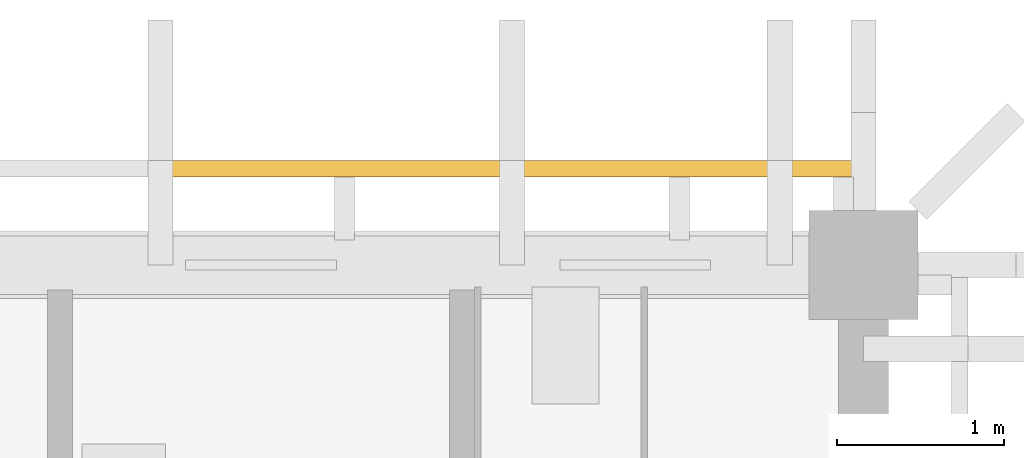
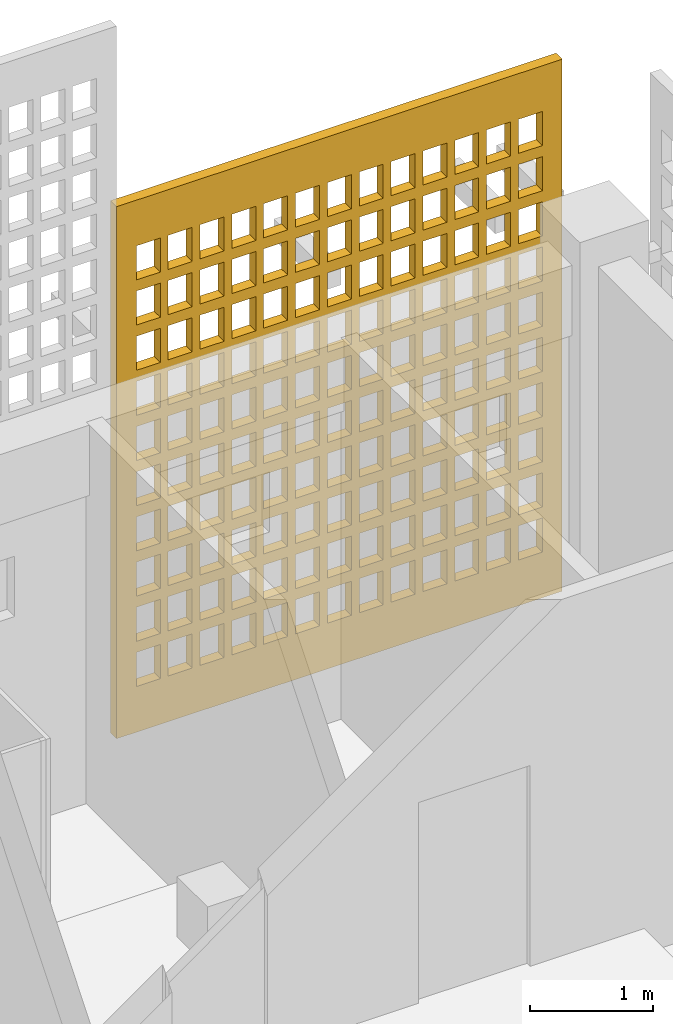
# One storey, part 22 of 23: 1 shading device, 1 opening.
"""IFC4 building model written with IfcOpenShell, lengths in metres."""

from ifc_helpers import new_model, si_unit, direction, frame, origin, origin_2d, place, context, subcontext, project, spatial, rectangle, extrude, material, layer, layer_set, type_object, element, save


model = new_model("IFC4")

# Units and contexts
model_context = context("Model", 3, precision=1e-05, world=origin(), true_north=direction((0.0, 1.0)))
body_context = subcontext(model_context, "Body", "Model", "MODEL_VIEW")
ifc_project = project(units=[si_unit("LENGTHUNIT", "METRE"), si_unit("AREAUNIT", "SQUARE_METRE"), si_unit("VOLUMEUNIT", "CUBIC_METRE"), si_unit("PLANEANGLEUNIT", "RADIAN"), si_unit("MASSUNIT", "GRAM", prefix="KILO")], contexts=[model_context])

# Site, building, storey
site_placement = place(None, origin())
site = spatial("IfcSite", under=ifc_project, at=site_placement, CompositionType="ELEMENT")
building_placement = place(site_placement, origin())
building = spatial("IfcBuilding", under=site, at=building_placement, Name="Rulbaag Community and Learning Centre", CompositionType="ELEMENT")
storey_placement = place(building_placement, frame((0.0, 0.0, 64.800048828125)))
storey = spatial("IfcBuildingStorey", under=building, at=storey_placement, Name="L17", CompositionType="ELEMENT", Elevation=64.800048828125)

# Shading device, opening
ifc_material = material(Name="Concrete M40", Category="concrete")
ifc_layer = layer(ifc_material, 0.10009765625)
ifc_layer_set = layer_set([ifc_layer], Name="JC-4")
shading_device_type = type_object("IfcShadingDeviceType", Name="JC-4", PredefinedType="SHUTTER", material=ifc_layer_set)
shading_device_placement = place(storey_placement, frame((165.89990234375, 118.175048828125, 0.0), z_axis=(0.0, 0.0, 1.0), x_axis=(1.0, 0.0, 0.0)))
shading_device = element("IfcShadingDevice", 1, at=shading_device_placement, inside=storey, type_object=shading_device_type, Name="Jaali lantern screen", PredefinedType="SHUTTER", context=body_context, shape_type="SweptSolid", body=[
    extrude(rectangle(XDim=4.199951171875, YDim=0.10009765625, at=origin_2d()), origin(), (0.0, 0.0, 1.0), 5.300048828125),
])
opening_placement = place(shading_device_placement, origin())
element("IfcOpeningElement", 2, at=opening_placement, cuts=shading_device, Name="Perforation JC4", PredefinedType="OPENING", context=body_context, shape_type="SweptSolid", body=[
    extrude(rectangle(XDim=0.22509765625, YDim=0.340087890625, at=origin_2d()), frame((-1.800048828125, -0.06005859375, 0.625), z_axis=(0.0, 1.0, 0.0), x_axis=(1.0, 0.0, 0.0)), (0.0, 0.0, 1.0), 0.1201171875),
    extrude(rectangle(XDim=0.22509765625, YDim=0.340087890625, at=origin_2d()), frame((-1.5, -0.06005859375, 0.625), z_axis=(0.0, 1.0, 0.0), x_axis=(1.0, 0.0, 0.0)), (0.0, 0.0, 1.0), 0.1201171875),
    extrude(rectangle(XDim=0.22509765625, YDim=0.340087890625, at=origin_2d()), frame((-1.199951171875, -0.06005859375, 0.625), z_axis=(0.0, 1.0, 0.0), x_axis=(1.0, 0.0, 0.0)), (0.0, 0.0, 1.0), 0.1201171875),
    extrude(rectangle(XDim=0.22509765625, YDim=0.340087890625, at=origin_2d()), frame((-0.89990234375, -0.06005859375, 0.625), z_axis=(0.0, 1.0, 0.0), x_axis=(1.0, 0.0, 0.0)), (0.0, 0.0, 1.0), 0.1201171875),
    extrude(rectangle(XDim=0.22509765625, YDim=0.340087890625, at=origin_2d()), frame((-0.60009765625, -0.06005859375, 0.625), z_axis=(0.0, 1.0, 0.0), x_axis=(1.0, 0.0, 0.0)), (0.0, 0.0, 1.0), 0.1201171875),
    extrude(rectangle(XDim=0.22509765625, YDim=0.340087890625, at=origin_2d()), frame((-0.300048828125, -0.06005859375, 0.625), z_axis=(0.0, 1.0, 0.0), x_axis=(1.0, 0.0, 0.0)), (0.0, 0.0, 1.0), 0.1201171875),
    extrude(rectangle(XDim=0.22509765625, YDim=0.340087890625, at=origin_2d()), frame((0.0, -0.06005859375, 0.625), z_axis=(0.0, 1.0, 0.0), x_axis=(1.0, 0.0, 0.0)), (0.0, 0.0, 1.0), 0.1201171875),
    extrude(rectangle(XDim=0.22509765625, YDim=0.340087890625, at=origin_2d()), frame((0.300048828125, -0.06005859375, 0.625), z_axis=(0.0, 1.0, 0.0), x_axis=(1.0, 0.0, 0.0)), (0.0, 0.0, 1.0), 0.1201171875),
    extrude(rectangle(XDim=0.22509765625, YDim=0.340087890625, at=origin_2d()), frame((0.60009765625, -0.06005859375, 0.625), z_axis=(0.0, 1.0, 0.0), x_axis=(1.0, 0.0, 0.0)), (0.0, 0.0, 1.0), 0.1201171875),
    extrude(rectangle(XDim=0.22509765625, YDim=0.340087890625, at=origin_2d()), frame((0.89990234375, -0.06005859375, 0.625), z_axis=(0.0, 1.0, 0.0), x_axis=(1.0, 0.0, 0.0)), (0.0, 0.0, 1.0), 0.1201171875),
    extrude(rectangle(XDim=0.22509765625, YDim=0.340087890625, at=origin_2d()), frame((1.199951171875, -0.06005859375, 0.625), z_axis=(0.0, 1.0, 0.0), x_axis=(1.0, 0.0, 0.0)), (0.0, 0.0, 1.0), 0.1201171875),
    extrude(rectangle(XDim=0.22509765625, YDim=0.340087890625, at=origin_2d()), frame((1.5, -0.06005859375, 0.625), z_axis=(0.0, 1.0, 0.0), x_axis=(1.0, 0.0, 0.0)), (0.0, 0.0, 1.0), 0.1201171875),
    extrude(rectangle(XDim=0.22509765625, YDim=0.340087890625, at=origin_2d()), frame((1.800048828125, -0.06005859375, 0.625), z_axis=(0.0, 1.0, 0.0), x_axis=(1.0, 0.0, 0.0)), (0.0, 0.0, 1.0), 0.1201171875),
    extrude(rectangle(XDim=0.22509765625, YDim=0.340087890625, at=origin_2d()), frame((-1.800048828125, -0.06005859375, 1.074951171875), z_axis=(0.0, 1.0, 0.0), x_axis=(1.0, 0.0, 0.0)), (0.0, 0.0, 1.0), 0.1201171875),
    extrude(rectangle(XDim=0.22509765625, YDim=0.340087890625, at=origin_2d()), frame((-1.5, -0.06005859375, 1.074951171875), z_axis=(0.0, 1.0, 0.0), x_axis=(1.0, 0.0, 0.0)), (0.0, 0.0, 1.0), 0.1201171875),
    extrude(rectangle(XDim=0.22509765625, YDim=0.340087890625, at=origin_2d()), frame((-1.199951171875, -0.06005859375, 1.074951171875), z_axis=(0.0, 1.0, 0.0), x_axis=(1.0, 0.0, 0.0)), (0.0, 0.0, 1.0), 0.1201171875),
    extrude(rectangle(XDim=0.22509765625, YDim=0.340087890625, at=origin_2d()), frame((-0.89990234375, -0.06005859375, 1.074951171875), z_axis=(0.0, 1.0, 0.0), x_axis=(1.0, 0.0, 0.0)), (0.0, 0.0, 1.0), 0.1201171875),
    extrude(rectangle(XDim=0.22509765625, YDim=0.340087890625, at=origin_2d()), frame((-0.60009765625, -0.06005859375, 1.074951171875), z_axis=(0.0, 1.0, 0.0), x_axis=(1.0, 0.0, 0.0)), (0.0, 0.0, 1.0), 0.1201171875),
    extrude(rectangle(XDim=0.22509765625, YDim=0.340087890625, at=origin_2d()), frame((-0.300048828125, -0.06005859375, 1.074951171875), z_axis=(0.0, 1.0, 0.0), x_axis=(1.0, 0.0, 0.0)), (0.0, 0.0, 1.0), 0.1201171875),
    extrude(rectangle(XDim=0.22509765625, YDim=0.340087890625, at=origin_2d()), frame((0.0, -0.06005859375, 1.074951171875), z_axis=(0.0, 1.0, 0.0), x_axis=(1.0, 0.0, 0.0)), (0.0, 0.0, 1.0), 0.1201171875),
    extrude(rectangle(XDim=0.22509765625, YDim=0.340087890625, at=origin_2d()), frame((0.300048828125, -0.06005859375, 1.074951171875), z_axis=(0.0, 1.0, 0.0), x_axis=(1.0, 0.0, 0.0)), (0.0, 0.0, 1.0), 0.1201171875),
    extrude(rectangle(XDim=0.22509765625, YDim=0.340087890625, at=origin_2d()), frame((0.60009765625, -0.06005859375, 1.074951171875), z_axis=(0.0, 1.0, 0.0), x_axis=(1.0, 0.0, 0.0)), (0.0, 0.0, 1.0), 0.1201171875),
    extrude(rectangle(XDim=0.22509765625, YDim=0.340087890625, at=origin_2d()), frame((0.89990234375, -0.06005859375, 1.074951171875), z_axis=(0.0, 1.0, 0.0), x_axis=(1.0, 0.0, 0.0)), (0.0, 0.0, 1.0), 0.1201171875),
    extrude(rectangle(XDim=0.22509765625, YDim=0.340087890625, at=origin_2d()), frame((1.199951171875, -0.06005859375, 1.074951171875), z_axis=(0.0, 1.0, 0.0), x_axis=(1.0, 0.0, 0.0)), (0.0, 0.0, 1.0), 0.1201171875),
    extrude(rectangle(XDim=0.22509765625, YDim=0.340087890625, at=origin_2d()), frame((1.5, -0.06005859375, 1.074951171875), z_axis=(0.0, 1.0, 0.0), x_axis=(1.0, 0.0, 0.0)), (0.0, 0.0, 1.0), 0.1201171875),
    extrude(rectangle(XDim=0.22509765625, YDim=0.340087890625, at=origin_2d()), frame((1.800048828125, -0.06005859375, 1.074951171875), z_axis=(0.0, 1.0, 0.0), x_axis=(1.0, 0.0, 0.0)), (0.0, 0.0, 1.0), 0.1201171875),
    extrude(rectangle(XDim=0.22509765625, YDim=0.340087890625, at=origin_2d()), frame((-1.800048828125, -0.06005859375, 1.52490234375), z_axis=(0.0, 1.0, 0.0), x_axis=(1.0, 0.0, 0.0)), (0.0, 0.0, 1.0), 0.1201171875),
    extrude(rectangle(XDim=0.22509765625, YDim=0.340087890625, at=origin_2d()), frame((-1.5, -0.06005859375, 1.52490234375), z_axis=(0.0, 1.0, 0.0), x_axis=(1.0, 0.0, 0.0)), (0.0, 0.0, 1.0), 0.1201171875),
    extrude(rectangle(XDim=0.22509765625, YDim=0.340087890625, at=origin_2d()), frame((-1.199951171875, -0.06005859375, 1.52490234375), z_axis=(0.0, 1.0, 0.0), x_axis=(1.0, 0.0, 0.0)), (0.0, 0.0, 1.0), 0.1201171875),
    extrude(rectangle(XDim=0.22509765625, YDim=0.340087890625, at=origin_2d()), frame((-0.89990234375, -0.06005859375, 1.52490234375), z_axis=(0.0, 1.0, 0.0), x_axis=(1.0, 0.0, 0.0)), (0.0, 0.0, 1.0), 0.1201171875),
    extrude(rectangle(XDim=0.22509765625, YDim=0.340087890625, at=origin_2d()), frame((-0.60009765625, -0.06005859375, 1.52490234375), z_axis=(0.0, 1.0, 0.0), x_axis=(1.0, 0.0, 0.0)), (0.0, 0.0, 1.0), 0.1201171875),
    extrude(rectangle(XDim=0.22509765625, YDim=0.340087890625, at=origin_2d()), frame((-0.300048828125, -0.06005859375, 1.52490234375), z_axis=(0.0, 1.0, 0.0), x_axis=(1.0, 0.0, 0.0)), (0.0, 0.0, 1.0), 0.1201171875),
    extrude(rectangle(XDim=0.22509765625, YDim=0.340087890625, at=origin_2d()), frame((0.0, -0.06005859375, 1.52490234375), z_axis=(0.0, 1.0, 0.0), x_axis=(1.0, 0.0, 0.0)), (0.0, 0.0, 1.0), 0.1201171875),
    extrude(rectangle(XDim=0.22509765625, YDim=0.340087890625, at=origin_2d()), frame((0.300048828125, -0.06005859375, 1.52490234375), z_axis=(0.0, 1.0, 0.0), x_axis=(1.0, 0.0, 0.0)), (0.0, 0.0, 1.0), 0.1201171875),
    extrude(rectangle(XDim=0.22509765625, YDim=0.340087890625, at=origin_2d()), frame((0.60009765625, -0.06005859375, 1.52490234375), z_axis=(0.0, 1.0, 0.0), x_axis=(1.0, 0.0, 0.0)), (0.0, 0.0, 1.0), 0.1201171875),
    extrude(rectangle(XDim=0.22509765625, YDim=0.340087890625, at=origin_2d()), frame((0.89990234375, -0.06005859375, 1.52490234375), z_axis=(0.0, 1.0, 0.0), x_axis=(1.0, 0.0, 0.0)), (0.0, 0.0, 1.0), 0.1201171875),
    extrude(rectangle(XDim=0.22509765625, YDim=0.340087890625, at=origin_2d()), frame((1.199951171875, -0.06005859375, 1.52490234375), z_axis=(0.0, 1.0, 0.0), x_axis=(1.0, 0.0, 0.0)), (0.0, 0.0, 1.0), 0.1201171875),
    extrude(rectangle(XDim=0.22509765625, YDim=0.340087890625, at=origin_2d()), frame((1.5, -0.06005859375, 1.52490234375), z_axis=(0.0, 1.0, 0.0), x_axis=(1.0, 0.0, 0.0)), (0.0, 0.0, 1.0), 0.1201171875),
    extrude(rectangle(XDim=0.22509765625, YDim=0.340087890625, at=origin_2d()), frame((1.800048828125, -0.06005859375, 1.52490234375), z_axis=(0.0, 1.0, 0.0), x_axis=(1.0, 0.0, 0.0)), (0.0, 0.0, 1.0), 0.1201171875),
    extrude(rectangle(XDim=0.22509765625, YDim=0.340087890625, at=origin_2d()), frame((-1.800048828125, -0.06005859375, 1.97509765625), z_axis=(0.0, 1.0, 0.0), x_axis=(1.0, 0.0, 0.0)), (0.0, 0.0, 1.0), 0.1201171875),
    extrude(rectangle(XDim=0.22509765625, YDim=0.340087890625, at=origin_2d()), frame((-1.5, -0.06005859375, 1.97509765625), z_axis=(0.0, 1.0, 0.0), x_axis=(1.0, 0.0, 0.0)), (0.0, 0.0, 1.0), 0.1201171875),
    extrude(rectangle(XDim=0.22509765625, YDim=0.340087890625, at=origin_2d()), frame((-1.199951171875, -0.06005859375, 1.97509765625), z_axis=(0.0, 1.0, 0.0), x_axis=(1.0, 0.0, 0.0)), (0.0, 0.0, 1.0), 0.1201171875),
    extrude(rectangle(XDim=0.22509765625, YDim=0.340087890625, at=origin_2d()), frame((-0.89990234375, -0.06005859375, 1.97509765625), z_axis=(0.0, 1.0, 0.0), x_axis=(1.0, 0.0, 0.0)), (0.0, 0.0, 1.0), 0.1201171875),
    extrude(rectangle(XDim=0.22509765625, YDim=0.340087890625, at=origin_2d()), frame((-0.60009765625, -0.06005859375, 1.97509765625), z_axis=(0.0, 1.0, 0.0), x_axis=(1.0, 0.0, 0.0)), (0.0, 0.0, 1.0), 0.1201171875),
    extrude(rectangle(XDim=0.22509765625, YDim=0.340087890625, at=origin_2d()), frame((-0.300048828125, -0.06005859375, 1.97509765625), z_axis=(0.0, 1.0, 0.0), x_axis=(1.0, 0.0, 0.0)), (0.0, 0.0, 1.0), 0.1201171875),
    extrude(rectangle(XDim=0.22509765625, YDim=0.340087890625, at=origin_2d()), frame((0.0, -0.06005859375, 1.97509765625), z_axis=(0.0, 1.0, 0.0), x_axis=(1.0, 0.0, 0.0)), (0.0, 0.0, 1.0), 0.1201171875),
    extrude(rectangle(XDim=0.22509765625, YDim=0.340087890625, at=origin_2d()), frame((0.300048828125, -0.06005859375, 1.97509765625), z_axis=(0.0, 1.0, 0.0), x_axis=(1.0, 0.0, 0.0)), (0.0, 0.0, 1.0), 0.1201171875),
    extrude(rectangle(XDim=0.22509765625, YDim=0.340087890625, at=origin_2d()), frame((0.60009765625, -0.06005859375, 1.97509765625), z_axis=(0.0, 1.0, 0.0), x_axis=(1.0, 0.0, 0.0)), (0.0, 0.0, 1.0), 0.1201171875),
    extrude(rectangle(XDim=0.22509765625, YDim=0.340087890625, at=origin_2d()), frame((0.89990234375, -0.06005859375, 1.97509765625), z_axis=(0.0, 1.0, 0.0), x_axis=(1.0, 0.0, 0.0)), (0.0, 0.0, 1.0), 0.1201171875),
    extrude(rectangle(XDim=0.22509765625, YDim=0.340087890625, at=origin_2d()), frame((1.199951171875, -0.06005859375, 1.97509765625), z_axis=(0.0, 1.0, 0.0), x_axis=(1.0, 0.0, 0.0)), (0.0, 0.0, 1.0), 0.1201171875),
    extrude(rectangle(XDim=0.22509765625, YDim=0.340087890625, at=origin_2d()), frame((1.5, -0.06005859375, 1.97509765625), z_axis=(0.0, 1.0, 0.0), x_axis=(1.0, 0.0, 0.0)), (0.0, 0.0, 1.0), 0.1201171875),
    extrude(rectangle(XDim=0.22509765625, YDim=0.340087890625, at=origin_2d()), frame((1.800048828125, -0.06005859375, 1.97509765625), z_axis=(0.0, 1.0, 0.0), x_axis=(1.0, 0.0, 0.0)), (0.0, 0.0, 1.0), 0.1201171875),
    extrude(rectangle(XDim=0.22509765625, YDim=0.340087890625, at=origin_2d()), frame((-1.800048828125, -0.06005859375, 2.425048828125), z_axis=(0.0, 1.0, 0.0), x_axis=(1.0, 0.0, 0.0)), (0.0, 0.0, 1.0), 0.1201171875),
    extrude(rectangle(XDim=0.22509765625, YDim=0.340087890625, at=origin_2d()), frame((-1.5, -0.06005859375, 2.425048828125), z_axis=(0.0, 1.0, 0.0), x_axis=(1.0, 0.0, 0.0)), (0.0, 0.0, 1.0), 0.1201171875),
    extrude(rectangle(XDim=0.22509765625, YDim=0.340087890625, at=origin_2d()), frame((-1.199951171875, -0.06005859375, 2.425048828125), z_axis=(0.0, 1.0, 0.0), x_axis=(1.0, 0.0, 0.0)), (0.0, 0.0, 1.0), 0.1201171875),
    extrude(rectangle(XDim=0.22509765625, YDim=0.340087890625, at=origin_2d()), frame((-0.89990234375, -0.06005859375, 2.425048828125), z_axis=(0.0, 1.0, 0.0), x_axis=(1.0, 0.0, 0.0)), (0.0, 0.0, 1.0), 0.1201171875),
    extrude(rectangle(XDim=0.22509765625, YDim=0.340087890625, at=origin_2d()), frame((-0.60009765625, -0.06005859375, 2.425048828125), z_axis=(0.0, 1.0, 0.0), x_axis=(1.0, 0.0, 0.0)), (0.0, 0.0, 1.0), 0.1201171875),
    extrude(rectangle(XDim=0.22509765625, YDim=0.340087890625, at=origin_2d()), frame((-0.300048828125, -0.06005859375, 2.425048828125), z_axis=(0.0, 1.0, 0.0), x_axis=(1.0, 0.0, 0.0)), (0.0, 0.0, 1.0), 0.1201171875),
    extrude(rectangle(XDim=0.22509765625, YDim=0.340087890625, at=origin_2d()), frame((0.0, -0.06005859375, 2.425048828125), z_axis=(0.0, 1.0, 0.0), x_axis=(1.0, 0.0, 0.0)), (0.0, 0.0, 1.0), 0.1201171875),
    extrude(rectangle(XDim=0.22509765625, YDim=0.340087890625, at=origin_2d()), frame((0.300048828125, -0.06005859375, 2.425048828125), z_axis=(0.0, 1.0, 0.0), x_axis=(1.0, 0.0, 0.0)), (0.0, 0.0, 1.0), 0.1201171875),
    extrude(rectangle(XDim=0.22509765625, YDim=0.340087890625, at=origin_2d()), frame((0.60009765625, -0.06005859375, 2.425048828125), z_axis=(0.0, 1.0, 0.0), x_axis=(1.0, 0.0, 0.0)), (0.0, 0.0, 1.0), 0.1201171875),
    extrude(rectangle(XDim=0.22509765625, YDim=0.340087890625, at=origin_2d()), frame((0.89990234375, -0.06005859375, 2.425048828125), z_axis=(0.0, 1.0, 0.0), x_axis=(1.0, 0.0, 0.0)), (0.0, 0.0, 1.0), 0.1201171875),
    extrude(rectangle(XDim=0.22509765625, YDim=0.340087890625, at=origin_2d()), frame((1.199951171875, -0.06005859375, 2.425048828125), z_axis=(0.0, 1.0, 0.0), x_axis=(1.0, 0.0, 0.0)), (0.0, 0.0, 1.0), 0.1201171875),
    extrude(rectangle(XDim=0.22509765625, YDim=0.340087890625, at=origin_2d()), frame((1.5, -0.06005859375, 2.425048828125), z_axis=(0.0, 1.0, 0.0), x_axis=(1.0, 0.0, 0.0)), (0.0, 0.0, 1.0), 0.1201171875),
    extrude(rectangle(XDim=0.22509765625, YDim=0.340087890625, at=origin_2d()), frame((1.800048828125, -0.06005859375, 2.425048828125), z_axis=(0.0, 1.0, 0.0), x_axis=(1.0, 0.0, 0.0)), (0.0, 0.0, 1.0), 0.1201171875),
    extrude(rectangle(XDim=0.22509765625, YDim=0.340087890625, at=origin_2d()), frame((-1.800048828125, -0.06005859375, 2.875), z_axis=(0.0, 1.0, 0.0), x_axis=(1.0, 0.0, 0.0)), (0.0, 0.0, 1.0), 0.1201171875),
    extrude(rectangle(XDim=0.22509765625, YDim=0.340087890625, at=origin_2d()), frame((-1.5, -0.06005859375, 2.875), z_axis=(0.0, 1.0, 0.0), x_axis=(1.0, 0.0, 0.0)), (0.0, 0.0, 1.0), 0.1201171875),
    extrude(rectangle(XDim=0.22509765625, YDim=0.340087890625, at=origin_2d()), frame((-1.199951171875, -0.06005859375, 2.875), z_axis=(0.0, 1.0, 0.0), x_axis=(1.0, 0.0, 0.0)), (0.0, 0.0, 1.0), 0.1201171875),
    extrude(rectangle(XDim=0.22509765625, YDim=0.340087890625, at=origin_2d()), frame((-0.89990234375, -0.06005859375, 2.875), z_axis=(0.0, 1.0, 0.0), x_axis=(1.0, 0.0, 0.0)), (0.0, 0.0, 1.0), 0.1201171875),
    extrude(rectangle(XDim=0.22509765625, YDim=0.340087890625, at=origin_2d()), frame((-0.60009765625, -0.06005859375, 2.875), z_axis=(0.0, 1.0, 0.0), x_axis=(1.0, 0.0, 0.0)), (0.0, 0.0, 1.0), 0.1201171875),
    extrude(rectangle(XDim=0.22509765625, YDim=0.340087890625, at=origin_2d()), frame((-0.300048828125, -0.06005859375, 2.875), z_axis=(0.0, 1.0, 0.0), x_axis=(1.0, 0.0, 0.0)), (0.0, 0.0, 1.0), 0.1201171875),
    extrude(rectangle(XDim=0.22509765625, YDim=0.340087890625, at=origin_2d()), frame((0.0, -0.06005859375, 2.875), z_axis=(0.0, 1.0, 0.0), x_axis=(1.0, 0.0, 0.0)), (0.0, 0.0, 1.0), 0.1201171875),
    extrude(rectangle(XDim=0.22509765625, YDim=0.340087890625, at=origin_2d()), frame((0.300048828125, -0.06005859375, 2.875), z_axis=(0.0, 1.0, 0.0), x_axis=(1.0, 0.0, 0.0)), (0.0, 0.0, 1.0), 0.1201171875),
    extrude(rectangle(XDim=0.22509765625, YDim=0.340087890625, at=origin_2d()), frame((0.60009765625, -0.06005859375, 2.875), z_axis=(0.0, 1.0, 0.0), x_axis=(1.0, 0.0, 0.0)), (0.0, 0.0, 1.0), 0.1201171875),
    extrude(rectangle(XDim=0.22509765625, YDim=0.340087890625, at=origin_2d()), frame((0.89990234375, -0.06005859375, 2.875), z_axis=(0.0, 1.0, 0.0), x_axis=(1.0, 0.0, 0.0)), (0.0, 0.0, 1.0), 0.1201171875),
    extrude(rectangle(XDim=0.22509765625, YDim=0.340087890625, at=origin_2d()), frame((1.199951171875, -0.06005859375, 2.875), z_axis=(0.0, 1.0, 0.0), x_axis=(1.0, 0.0, 0.0)), (0.0, 0.0, 1.0), 0.1201171875),
    extrude(rectangle(XDim=0.22509765625, YDim=0.340087890625, at=origin_2d()), frame((1.5, -0.06005859375, 2.875), z_axis=(0.0, 1.0, 0.0), x_axis=(1.0, 0.0, 0.0)), (0.0, 0.0, 1.0), 0.1201171875),
    extrude(rectangle(XDim=0.22509765625, YDim=0.340087890625, at=origin_2d()), frame((1.800048828125, -0.06005859375, 2.875), z_axis=(0.0, 1.0, 0.0), x_axis=(1.0, 0.0, 0.0)), (0.0, 0.0, 1.0), 0.1201171875),
    extrude(rectangle(XDim=0.22509765625, YDim=0.340087890625, at=origin_2d()), frame((-1.800048828125, -0.06005859375, 3.324951171875), z_axis=(0.0, 1.0, 0.0), x_axis=(1.0, 0.0, 0.0)), (0.0, 0.0, 1.0), 0.1201171875),
    extrude(rectangle(XDim=0.22509765625, YDim=0.340087890625, at=origin_2d()), frame((-1.5, -0.06005859375, 3.324951171875), z_axis=(0.0, 1.0, 0.0), x_axis=(1.0, 0.0, 0.0)), (0.0, 0.0, 1.0), 0.1201171875),
    extrude(rectangle(XDim=0.22509765625, YDim=0.340087890625, at=origin_2d()), frame((-1.199951171875, -0.06005859375, 3.324951171875), z_axis=(0.0, 1.0, 0.0), x_axis=(1.0, 0.0, 0.0)), (0.0, 0.0, 1.0), 0.1201171875),
    extrude(rectangle(XDim=0.22509765625, YDim=0.340087890625, at=origin_2d()), frame((-0.89990234375, -0.06005859375, 3.324951171875), z_axis=(0.0, 1.0, 0.0), x_axis=(1.0, 0.0, 0.0)), (0.0, 0.0, 1.0), 0.1201171875),
    extrude(rectangle(XDim=0.22509765625, YDim=0.340087890625, at=origin_2d()), frame((-0.60009765625, -0.06005859375, 3.324951171875), z_axis=(0.0, 1.0, 0.0), x_axis=(1.0, 0.0, 0.0)), (0.0, 0.0, 1.0), 0.1201171875),
    extrude(rectangle(XDim=0.22509765625, YDim=0.340087890625, at=origin_2d()), frame((-0.300048828125, -0.06005859375, 3.324951171875), z_axis=(0.0, 1.0, 0.0), x_axis=(1.0, 0.0, 0.0)), (0.0, 0.0, 1.0), 0.1201171875),
    extrude(rectangle(XDim=0.22509765625, YDim=0.340087890625, at=origin_2d()), frame((0.0, -0.06005859375, 3.324951171875), z_axis=(0.0, 1.0, 0.0), x_axis=(1.0, 0.0, 0.0)), (0.0, 0.0, 1.0), 0.1201171875),
    extrude(rectangle(XDim=0.22509765625, YDim=0.340087890625, at=origin_2d()), frame((0.300048828125, -0.06005859375, 3.324951171875), z_axis=(0.0, 1.0, 0.0), x_axis=(1.0, 0.0, 0.0)), (0.0, 0.0, 1.0), 0.1201171875),
    extrude(rectangle(XDim=0.22509765625, YDim=0.340087890625, at=origin_2d()), frame((0.60009765625, -0.06005859375, 3.324951171875), z_axis=(0.0, 1.0, 0.0), x_axis=(1.0, 0.0, 0.0)), (0.0, 0.0, 1.0), 0.1201171875),
    extrude(rectangle(XDim=0.22509765625, YDim=0.340087890625, at=origin_2d()), frame((0.89990234375, -0.06005859375, 3.324951171875), z_axis=(0.0, 1.0, 0.0), x_axis=(1.0, 0.0, 0.0)), (0.0, 0.0, 1.0), 0.1201171875),
    extrude(rectangle(XDim=0.22509765625, YDim=0.340087890625, at=origin_2d()), frame((1.199951171875, -0.06005859375, 3.324951171875), z_axis=(0.0, 1.0, 0.0), x_axis=(1.0, 0.0, 0.0)), (0.0, 0.0, 1.0), 0.1201171875),
    extrude(rectangle(XDim=0.22509765625, YDim=0.340087890625, at=origin_2d()), frame((1.5, -0.06005859375, 3.324951171875), z_axis=(0.0, 1.0, 0.0), x_axis=(1.0, 0.0, 0.0)), (0.0, 0.0, 1.0), 0.1201171875),
    extrude(rectangle(XDim=0.22509765625, YDim=0.340087890625, at=origin_2d()), frame((1.800048828125, -0.06005859375, 3.324951171875), z_axis=(0.0, 1.0, 0.0), x_axis=(1.0, 0.0, 0.0)), (0.0, 0.0, 1.0), 0.1201171875),
    extrude(rectangle(XDim=0.22509765625, YDim=0.340087890625, at=origin_2d()), frame((-1.800048828125, -0.06005859375, 3.77490234375), z_axis=(0.0, 1.0, 0.0), x_axis=(1.0, 0.0, 0.0)), (0.0, 0.0, 1.0), 0.1201171875),
    extrude(rectangle(XDim=0.22509765625, YDim=0.340087890625, at=origin_2d()), frame((-1.5, -0.06005859375, 3.77490234375), z_axis=(0.0, 1.0, 0.0), x_axis=(1.0, 0.0, 0.0)), (0.0, 0.0, 1.0), 0.1201171875),
    extrude(rectangle(XDim=0.22509765625, YDim=0.340087890625, at=origin_2d()), frame((-1.199951171875, -0.06005859375, 3.77490234375), z_axis=(0.0, 1.0, 0.0), x_axis=(1.0, 0.0, 0.0)), (0.0, 0.0, 1.0), 0.1201171875),
    extrude(rectangle(XDim=0.22509765625, YDim=0.340087890625, at=origin_2d()), frame((-0.89990234375, -0.06005859375, 3.77490234375), z_axis=(0.0, 1.0, 0.0), x_axis=(1.0, 0.0, 0.0)), (0.0, 0.0, 1.0), 0.1201171875),
    extrude(rectangle(XDim=0.22509765625, YDim=0.340087890625, at=origin_2d()), frame((-0.60009765625, -0.06005859375, 3.77490234375), z_axis=(0.0, 1.0, 0.0), x_axis=(1.0, 0.0, 0.0)), (0.0, 0.0, 1.0), 0.1201171875),
    extrude(rectangle(XDim=0.22509765625, YDim=0.340087890625, at=origin_2d()), frame((-0.300048828125, -0.06005859375, 3.77490234375), z_axis=(0.0, 1.0, 0.0), x_axis=(1.0, 0.0, 0.0)), (0.0, 0.0, 1.0), 0.1201171875),
    extrude(rectangle(XDim=0.22509765625, YDim=0.340087890625, at=origin_2d()), frame((0.0, -0.06005859375, 3.77490234375), z_axis=(0.0, 1.0, 0.0), x_axis=(1.0, 0.0, 0.0)), (0.0, 0.0, 1.0), 0.1201171875),
    extrude(rectangle(XDim=0.22509765625, YDim=0.340087890625, at=origin_2d()), frame((0.300048828125, -0.06005859375, 3.77490234375), z_axis=(0.0, 1.0, 0.0), x_axis=(1.0, 0.0, 0.0)), (0.0, 0.0, 1.0), 0.1201171875),
    extrude(rectangle(XDim=0.22509765625, YDim=0.340087890625, at=origin_2d()), frame((0.60009765625, -0.06005859375, 3.77490234375), z_axis=(0.0, 1.0, 0.0), x_axis=(1.0, 0.0, 0.0)), (0.0, 0.0, 1.0), 0.1201171875),
    extrude(rectangle(XDim=0.22509765625, YDim=0.340087890625, at=origin_2d()), frame((0.89990234375, -0.06005859375, 3.77490234375), z_axis=(0.0, 1.0, 0.0), x_axis=(1.0, 0.0, 0.0)), (0.0, 0.0, 1.0), 0.1201171875),
    extrude(rectangle(XDim=0.22509765625, YDim=0.340087890625, at=origin_2d()), frame((1.199951171875, -0.06005859375, 3.77490234375), z_axis=(0.0, 1.0, 0.0), x_axis=(1.0, 0.0, 0.0)), (0.0, 0.0, 1.0), 0.1201171875),
    extrude(rectangle(XDim=0.22509765625, YDim=0.340087890625, at=origin_2d()), frame((1.5, -0.06005859375, 3.77490234375), z_axis=(0.0, 1.0, 0.0), x_axis=(1.0, 0.0, 0.0)), (0.0, 0.0, 1.0), 0.1201171875),
    extrude(rectangle(XDim=0.22509765625, YDim=0.340087890625, at=origin_2d()), frame((1.800048828125, -0.06005859375, 3.77490234375), z_axis=(0.0, 1.0, 0.0), x_axis=(1.0, 0.0, 0.0)), (0.0, 0.0, 1.0), 0.1201171875),
    extrude(rectangle(XDim=0.22509765625, YDim=0.340087890625, at=origin_2d()), frame((-1.800048828125, -0.06005859375, 4.22509765625), z_axis=(0.0, 1.0, 0.0), x_axis=(1.0, 0.0, 0.0)), (0.0, 0.0, 1.0), 0.1201171875),
    extrude(rectangle(XDim=0.22509765625, YDim=0.340087890625, at=origin_2d()), frame((-1.5, -0.06005859375, 4.22509765625), z_axis=(0.0, 1.0, 0.0), x_axis=(1.0, 0.0, 0.0)), (0.0, 0.0, 1.0), 0.1201171875),
    extrude(rectangle(XDim=0.22509765625, YDim=0.340087890625, at=origin_2d()), frame((-1.199951171875, -0.06005859375, 4.22509765625), z_axis=(0.0, 1.0, 0.0), x_axis=(1.0, 0.0, 0.0)), (0.0, 0.0, 1.0), 0.1201171875),
    extrude(rectangle(XDim=0.22509765625, YDim=0.340087890625, at=origin_2d()), frame((-0.89990234375, -0.06005859375, 4.22509765625), z_axis=(0.0, 1.0, 0.0), x_axis=(1.0, 0.0, 0.0)), (0.0, 0.0, 1.0), 0.1201171875),
    extrude(rectangle(XDim=0.22509765625, YDim=0.340087890625, at=origin_2d()), frame((-0.60009765625, -0.06005859375, 4.22509765625), z_axis=(0.0, 1.0, 0.0), x_axis=(1.0, 0.0, 0.0)), (0.0, 0.0, 1.0), 0.1201171875),
    extrude(rectangle(XDim=0.22509765625, YDim=0.340087890625, at=origin_2d()), frame((-0.300048828125, -0.06005859375, 4.22509765625), z_axis=(0.0, 1.0, 0.0), x_axis=(1.0, 0.0, 0.0)), (0.0, 0.0, 1.0), 0.1201171875),
    extrude(rectangle(XDim=0.22509765625, YDim=0.340087890625, at=origin_2d()), frame((0.0, -0.06005859375, 4.22509765625), z_axis=(0.0, 1.0, 0.0), x_axis=(1.0, 0.0, 0.0)), (0.0, 0.0, 1.0), 0.1201171875),
    extrude(rectangle(XDim=0.22509765625, YDim=0.340087890625, at=origin_2d()), frame((0.300048828125, -0.06005859375, 4.22509765625), z_axis=(0.0, 1.0, 0.0), x_axis=(1.0, 0.0, 0.0)), (0.0, 0.0, 1.0), 0.1201171875),
    extrude(rectangle(XDim=0.22509765625, YDim=0.340087890625, at=origin_2d()), frame((0.60009765625, -0.06005859375, 4.22509765625), z_axis=(0.0, 1.0, 0.0), x_axis=(1.0, 0.0, 0.0)), (0.0, 0.0, 1.0), 0.1201171875),
    extrude(rectangle(XDim=0.22509765625, YDim=0.340087890625, at=origin_2d()), frame((0.89990234375, -0.06005859375, 4.22509765625), z_axis=(0.0, 1.0, 0.0), x_axis=(1.0, 0.0, 0.0)), (0.0, 0.0, 1.0), 0.1201171875),
    extrude(rectangle(XDim=0.22509765625, YDim=0.340087890625, at=origin_2d()), frame((1.199951171875, -0.06005859375, 4.22509765625), z_axis=(0.0, 1.0, 0.0), x_axis=(1.0, 0.0, 0.0)), (0.0, 0.0, 1.0), 0.1201171875),
    extrude(rectangle(XDim=0.22509765625, YDim=0.340087890625, at=origin_2d()), frame((1.5, -0.06005859375, 4.22509765625), z_axis=(0.0, 1.0, 0.0), x_axis=(1.0, 0.0, 0.0)), (0.0, 0.0, 1.0), 0.1201171875),
    extrude(rectangle(XDim=0.22509765625, YDim=0.340087890625, at=origin_2d()), frame((1.800048828125, -0.06005859375, 4.22509765625), z_axis=(0.0, 1.0, 0.0), x_axis=(1.0, 0.0, 0.0)), (0.0, 0.0, 1.0), 0.1201171875),
    extrude(rectangle(XDim=0.22509765625, YDim=0.340087890625, at=origin_2d()), frame((-1.800048828125, -0.06005859375, 4.675048828125), z_axis=(0.0, 1.0, 0.0), x_axis=(1.0, 0.0, 0.0)), (0.0, 0.0, 1.0), 0.1201171875),
    extrude(rectangle(XDim=0.22509765625, YDim=0.340087890625, at=origin_2d()), frame((-1.5, -0.06005859375, 4.675048828125), z_axis=(0.0, 1.0, 0.0), x_axis=(1.0, 0.0, 0.0)), (0.0, 0.0, 1.0), 0.1201171875),
    extrude(rectangle(XDim=0.22509765625, YDim=0.340087890625, at=origin_2d()), frame((-1.199951171875, -0.06005859375, 4.675048828125), z_axis=(0.0, 1.0, 0.0), x_axis=(1.0, 0.0, 0.0)), (0.0, 0.0, 1.0), 0.1201171875),
    extrude(rectangle(XDim=0.22509765625, YDim=0.340087890625, at=origin_2d()), frame((-0.89990234375, -0.06005859375, 4.675048828125), z_axis=(0.0, 1.0, 0.0), x_axis=(1.0, 0.0, 0.0)), (0.0, 0.0, 1.0), 0.1201171875),
    extrude(rectangle(XDim=0.22509765625, YDim=0.340087890625, at=origin_2d()), frame((-0.60009765625, -0.06005859375, 4.675048828125), z_axis=(0.0, 1.0, 0.0), x_axis=(1.0, 0.0, 0.0)), (0.0, 0.0, 1.0), 0.1201171875),
    extrude(rectangle(XDim=0.22509765625, YDim=0.340087890625, at=origin_2d()), frame((-0.300048828125, -0.06005859375, 4.675048828125), z_axis=(0.0, 1.0, 0.0), x_axis=(1.0, 0.0, 0.0)), (0.0, 0.0, 1.0), 0.1201171875),
    extrude(rectangle(XDim=0.22509765625, YDim=0.340087890625, at=origin_2d()), frame((0.0, -0.06005859375, 4.675048828125), z_axis=(0.0, 1.0, 0.0), x_axis=(1.0, 0.0, 0.0)), (0.0, 0.0, 1.0), 0.1201171875),
    extrude(rectangle(XDim=0.22509765625, YDim=0.340087890625, at=origin_2d()), frame((0.300048828125, -0.06005859375, 4.675048828125), z_axis=(0.0, 1.0, 0.0), x_axis=(1.0, 0.0, 0.0)), (0.0, 0.0, 1.0), 0.1201171875),
    extrude(rectangle(XDim=0.22509765625, YDim=0.340087890625, at=origin_2d()), frame((0.60009765625, -0.06005859375, 4.675048828125), z_axis=(0.0, 1.0, 0.0), x_axis=(1.0, 0.0, 0.0)), (0.0, 0.0, 1.0), 0.1201171875),
    extrude(rectangle(XDim=0.22509765625, YDim=0.340087890625, at=origin_2d()), frame((0.89990234375, -0.06005859375, 4.675048828125), z_axis=(0.0, 1.0, 0.0), x_axis=(1.0, 0.0, 0.0)), (0.0, 0.0, 1.0), 0.1201171875),
    extrude(rectangle(XDim=0.22509765625, YDim=0.340087890625, at=origin_2d()), frame((1.199951171875, -0.06005859375, 4.675048828125), z_axis=(0.0, 1.0, 0.0), x_axis=(1.0, 0.0, 0.0)), (0.0, 0.0, 1.0), 0.1201171875),
    extrude(rectangle(XDim=0.22509765625, YDim=0.340087890625, at=origin_2d()), frame((1.5, -0.06005859375, 4.675048828125), z_axis=(0.0, 1.0, 0.0), x_axis=(1.0, 0.0, 0.0)), (0.0, 0.0, 1.0), 0.1201171875),
    extrude(rectangle(XDim=0.22509765625, YDim=0.340087890625, at=origin_2d()), frame((1.800048828125, -0.06005859375, 4.675048828125), z_axis=(0.0, 1.0, 0.0), x_axis=(1.0, 0.0, 0.0)), (0.0, 0.0, 1.0), 0.1201171875),
])

save(model, "model.ifc")
